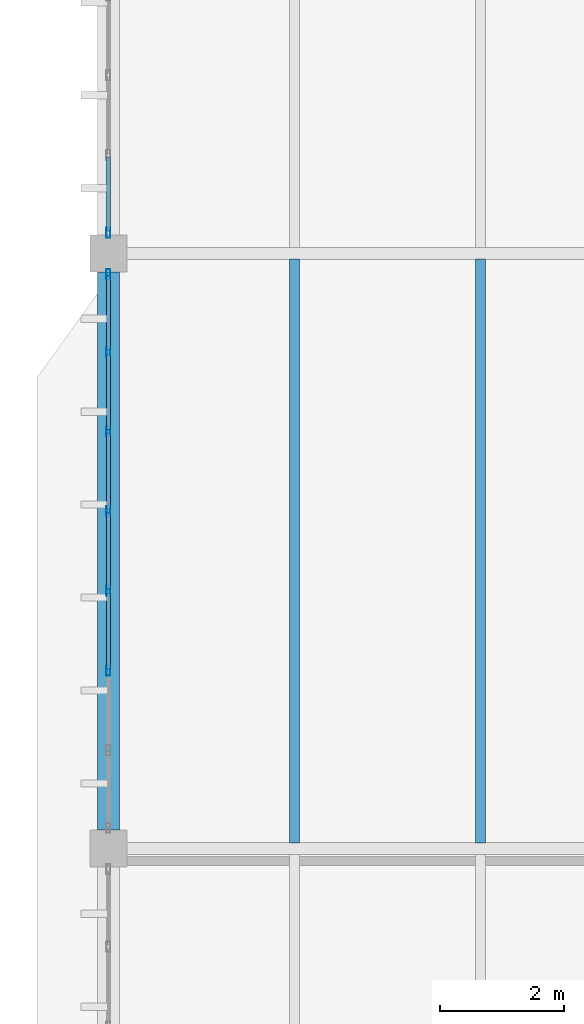
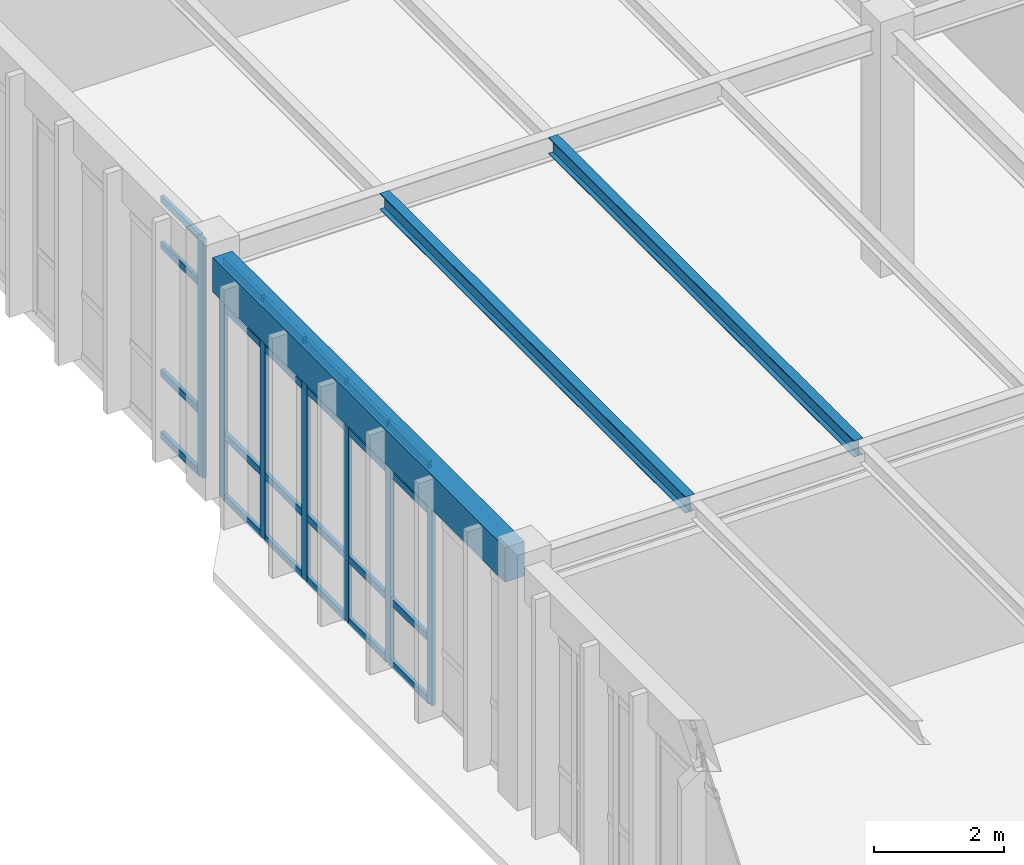
# One storey, part 132 of 236: 31 members, 3 beams, 2 elements without a shape of their own.
"""IFC4 building model written with IfcOpenShell, lengths in metres."""

from ifc_helpers import new_model, si_unit, direction, frame, origin, origin_2d, place, context, subcontext, project, spatial, rectangle, hollow_rectangle, i_section, extrude, material, layer, layer_set, material_profile, profile_set, type_object, element, aggregate, save


model = new_model("IFC4")

# Units and contexts
model_context = context("Model", 3, precision=1e-05, world=origin(), true_north=direction((0.0, 1.0)))
body_context = subcontext(model_context, "Body", "Model", "MODEL_VIEW")
ifc_project = project(units=[si_unit("LENGTHUNIT", "METRE"), si_unit("AREAUNIT", "SQUARE_METRE"), si_unit("VOLUMEUNIT", "CUBIC_METRE"), si_unit("PLANEANGLEUNIT", "RADIAN"), si_unit("MASSUNIT", "GRAM", prefix="KILO")], contexts=[model_context])

# Site, building, storey
site_placement = place(None, origin())
site = spatial("IfcSite", under=ifc_project, at=site_placement, CompositionType="ELEMENT")
building_placement = place(site_placement, origin())
building = spatial("IfcBuilding", under=site, at=building_placement, Name="Pandanus Reach Market Hall", CompositionType="ELEMENT")
storey_placement = place(building_placement, frame((0.0, 0.0, 5.39990234375)))
storey = spatial("IfcBuildingStorey", under=building, at=storey_placement, Name="L01", CompositionType="ELEMENT", Elevation=5.39990234375)

# Beam
ifc_material_1 = material(Name="Concrete N40 (40 MPa)", Category="concrete")
ifc_material_profile_1 = material_profile(ifc_material_1, rectangle(XDim=0.35009765625, YDim=0.64990234375, at=origin_2d()), Name="RC350x650", Category="LoadBearing")
ifc_profile_set_1 = profile_set([ifc_material_profile_1], Name="Concrete N40 (40 MPa)")
beam_type_1 = type_object("IfcBeamType", Name="BM-RC350-E", PredefinedType="SPANDREL", material=ifc_profile_set_1)
beam_placement = place(storey_placement, frame((144.0, 29.097900390625, 4.215087890625), z_axis=(0.0, 1.0, 0.0), x_axis=(-1.0, 0.0, 0.0)))
element("IfcBeam", 1, at=beam_placement, inside=storey, type_object=beam_type_1, Name="Framing beam BM-RC350-E L01.338", PredefinedType="SPANDREL", context=body_context, shape_type="SweptSolid", body=[
    extrude(rectangle(XDim=0.35009765625, YDim=0.64990234375, at=origin_2d()), origin(), (0.0, 0.0, 1.0), 9.004150390625),
])

# Curtain wall, members
ifc_material_2 = material(Name="Bronze anodised aluminium and low-E glass", Category="aluminium")
ifc_layer = layer(ifc_material_2, 0.159912109375, Name="CW-29")
ifc_layer_set = layer_set([ifc_layer], Name="Bronze anodised aluminium and low-E glass")
curtain_wall_type = type_object("IfcCurtainWallType", Name="CW-29", PredefinedType="NOTDEFINED", material=ifc_layer_set)
curtain_wall_1_placement = place(storey_placement, origin())
curtain_wall_1 = element("IfcCurtainWall", 2, at=curtain_wall_1_placement, inside=storey, type_object=curtain_wall_type, Name="Glazed curtain wall CW-29 CW-0093", PredefinedType="NOTDEFINED")
ifc_material_3 = material(Name="Bronze anodised aluminium", Category="aluminium")
ifc_material_profile_2 = material_profile(ifc_material_3, hollow_rectangle(XDim=0.06494140625, YDim=0.159912109375, WallThickness=0.00390625, at=origin_2d()), Name="ALU65x160", Category="LoadBearing")
ifc_profile_set_2 = profile_set([ifc_material_profile_2], Name="Bronze anodised aluminium")
member_type_1 = type_object("IfcMemberType", Name="CW-M1", PredefinedType="MULLION", material=ifc_profile_set_2)
member_1_placement = place(storey_placement, frame((144.0, 31.67138671875, 0.0), z_axis=(0.0, 0.0, 1.0), x_axis=(-1.0, 0.0, 0.0)))
member_1 = element("IfcMember", 3, at=member_1_placement, type_object=member_type_1, Name="CW-29 mullion 3", PredefinedType="MULLION", context=body_context, shape_type="SweptSolid", body=[
    extrude(hollow_rectangle(XDim=0.06494140625, YDim=0.159912109375, WallThickness=0.00390625, at=origin_2d()), origin(), (0.0, 0.0, 1.0), 4.5),
])
member_2_placement = place(storey_placement, frame((144.0, 32.95703125, 0.0), z_axis=(0.0, 0.0, 1.0), x_axis=(-1.0, 0.0, 0.0)))
member_2 = element("IfcMember", 4, at=member_2_placement, type_object=member_type_1, Name="CW-29 mullion 4", PredefinedType="MULLION", context=body_context, shape_type="SweptSolid", body=[
    extrude(hollow_rectangle(XDim=0.06494140625, YDim=0.159912109375, WallThickness=0.00390625, at=origin_2d()), origin(), (0.0, 0.0, 1.0), 4.5),
])
member_3_placement = place(storey_placement, frame((144.0, 34.242919921875, 0.0), z_axis=(0.0, 0.0, 1.0), x_axis=(-1.0, 0.0, 0.0)))
member_3 = element("IfcMember", 5, at=member_3_placement, type_object=member_type_1, Name="CW-29 mullion 5", PredefinedType="MULLION", context=body_context, shape_type="SweptSolid", body=[
    extrude(hollow_rectangle(XDim=0.06494140625, YDim=0.159912109375, WallThickness=0.00390625, at=origin_2d()), origin(), (0.0, 0.0, 1.0), 4.5),
])
member_4_placement = place(storey_placement, frame((144.0, 35.528564453125, 0.0), z_axis=(0.0, 0.0, 1.0), x_axis=(-1.0, 0.0, 0.0)))
member_4 = element("IfcMember", 6, at=member_4_placement, type_object=member_type_1, Name="CW-29 mullion 6", PredefinedType="MULLION", context=body_context, shape_type="SweptSolid", body=[
    extrude(hollow_rectangle(XDim=0.06494140625, YDim=0.159912109375, WallThickness=0.00390625, at=origin_2d()), origin(), (0.0, 0.0, 1.0), 4.5),
])
member_5_placement = place(storey_placement, frame((144.0, 36.814208984375, 0.0), z_axis=(0.0, 0.0, 1.0), x_axis=(-1.0, 0.0, 0.0)))
member_5 = element("IfcMember", 7, at=member_5_placement, type_object=member_type_1, Name="CW-29 mullion 7", PredefinedType="MULLION", context=body_context, shape_type="SweptSolid", body=[
    extrude(hollow_rectangle(XDim=0.06494140625, YDim=0.159912109375, WallThickness=0.00390625, at=origin_2d()), origin(), (0.0, 0.0, 1.0), 4.5),
])
member_6_placement = place(storey_placement, frame((144.0, 38.0673828125, 0.0), z_axis=(0.0, 0.0, 1.0), x_axis=(-1.0, 0.0, 0.0)))
member_6 = element("IfcMember", 8, at=member_6_placement, type_object=member_type_1, Name="CW-29 mullion 8", PredefinedType="MULLION", context=body_context, shape_type="SweptSolid", body=[
    extrude(hollow_rectangle(XDim=0.06494140625, YDim=0.159912109375, WallThickness=0.00390625, at=origin_2d()), origin(), (0.0, 0.0, 1.0), 4.5),
])

# Curtain wall, member
curtain_wall_2_placement = place(storey_placement, origin())
curtain_wall_2 = element("IfcCurtainWall", 9, at=curtain_wall_2_placement, inside=storey, type_object=curtain_wall_type, Name="Glazed curtain wall CW-29 CW-0094", PredefinedType="NOTDEFINED")
member_7_placement = place(storey_placement, frame((144.0, 38.732421875, 0.0), z_axis=(0.0, 0.0, 1.0), x_axis=(-1.0, 0.0, 0.0)))
member_7 = element("IfcMember", 10, at=member_7_placement, type_object=member_type_1, Name="CW-29 mullion 1", PredefinedType="MULLION", context=body_context, shape_type="SweptSolid", body=[
    extrude(hollow_rectangle(XDim=0.06494140625, YDim=0.159912109375, WallThickness=0.00390625, at=origin_2d()), origin(), (0.0, 0.0, 1.0), 4.5),
])

# Member
ifc_material_profile_3 = material_profile(ifc_material_3, hollow_rectangle(XDim=0.06494140625, YDim=0.1298828125, WallThickness=0.00390625, at=origin_2d()), Name="ALU65x130", Category="LoadBearing")
ifc_profile_set_3 = profile_set([ifc_material_profile_3], Name="Bronze anodised aluminium")
member_type_2 = type_object("IfcMemberType", Name="CW-T1", PredefinedType="USERDEFINED", material=ifc_profile_set_3)
member_8_placement = place(storey_placement, frame((144.0, 31.703857421875, 0.03271484375), z_axis=(0.0, 1.0, 0.0), x_axis=(-1.0, 0.0, 0.0)))
member_8 = element("IfcMember", 11, at=member_8_placement, type_object=member_type_2, Name="CW-29 transom 3.1", ObjectType="TRANSOM", PredefinedType="USERDEFINED", context=body_context, shape_type="SweptSolid", body=[
    extrude(hollow_rectangle(XDim=0.06494140625, YDim=0.1298828125, WallThickness=0.00390625, at=origin_2d()), origin(), (0.0, 0.0, 1.0), 1.220703125),
])

member_9_placement = place(storey_placement, frame((144.0, 31.703857421875, 1.2001953125), z_axis=(0.0, 1.0, 0.0), x_axis=(-1.0, 0.0, 0.0)))
member_9 = element("IfcMember", 12, at=member_9_placement, type_object=member_type_2, Name="CW-29 transom 3.2", ObjectType="TRANSOM", PredefinedType="USERDEFINED", context=body_context, shape_type="SweptSolid", body=[
    extrude(hollow_rectangle(XDim=0.06494140625, YDim=0.1298828125, WallThickness=0.00390625, at=origin_2d()), origin(), (0.0, 0.0, 1.0), 1.220703125),
])

member_10_placement = place(storey_placement, frame((144.0, 31.703857421875, 3.60009765625), z_axis=(0.0, 1.0, 0.0), x_axis=(-1.0, 0.0, 0.0)))
member_10 = element("IfcMember", 13, at=member_10_placement, type_object=member_type_2, Name="CW-29 transom 3.3", ObjectType="TRANSOM", PredefinedType="USERDEFINED", context=body_context, shape_type="SweptSolid", body=[
    extrude(hollow_rectangle(XDim=0.06494140625, YDim=0.1298828125, WallThickness=0.00390625, at=origin_2d()), origin(), (0.0, 0.0, 1.0), 1.220703125),
])

member_11_placement = place(storey_placement, frame((144.0, 31.703857421875, 4.467529296875), z_axis=(0.0, 1.0, 0.0), x_axis=(-1.0, 0.0, 0.0)))
member_11 = element("IfcMember", 14, at=member_11_placement, type_object=member_type_2, Name="CW-29 transom 3.4", ObjectType="TRANSOM", PredefinedType="USERDEFINED", context=body_context, shape_type="SweptSolid", body=[
    extrude(hollow_rectangle(XDim=0.06494140625, YDim=0.1298828125, WallThickness=0.00390625, at=origin_2d()), origin(), (0.0, 0.0, 1.0), 1.220703125),
])

member_12_placement = place(storey_placement, frame((144.0, 32.98974609375, 0.03271484375), z_axis=(0.0, 1.0, 0.0), x_axis=(-1.0, 0.0, 0.0)))
member_12 = element("IfcMember", 15, at=member_12_placement, type_object=member_type_2, Name="CW-29 transom 4.1", ObjectType="TRANSOM", PredefinedType="USERDEFINED", context=body_context, shape_type="SweptSolid", body=[
    extrude(hollow_rectangle(XDim=0.06494140625, YDim=0.1298828125, WallThickness=0.00390625, at=origin_2d()), origin(), (0.0, 0.0, 1.0), 1.220703125),
])

member_13_placement = place(storey_placement, frame((144.0, 32.98974609375, 1.2001953125), z_axis=(0.0, 1.0, 0.0), x_axis=(-1.0, 0.0, 0.0)))
member_13 = element("IfcMember", 16, at=member_13_placement, type_object=member_type_2, Name="CW-29 transom 4.2", ObjectType="TRANSOM", PredefinedType="USERDEFINED", context=body_context, shape_type="SweptSolid", body=[
    extrude(hollow_rectangle(XDim=0.06494140625, YDim=0.1298828125, WallThickness=0.00390625, at=origin_2d()), origin(), (0.0, 0.0, 1.0), 1.220703125),
])

member_14_placement = place(storey_placement, frame((144.0, 32.98974609375, 3.60009765625), z_axis=(0.0, 1.0, 0.0), x_axis=(-1.0, 0.0, 0.0)))
member_14 = element("IfcMember", 17, at=member_14_placement, type_object=member_type_2, Name="CW-29 transom 4.3", ObjectType="TRANSOM", PredefinedType="USERDEFINED", context=body_context, shape_type="SweptSolid", body=[
    extrude(hollow_rectangle(XDim=0.06494140625, YDim=0.1298828125, WallThickness=0.00390625, at=origin_2d()), origin(), (0.0, 0.0, 1.0), 1.220703125),
])

member_15_placement = place(storey_placement, frame((144.0, 32.98974609375, 4.467529296875), z_axis=(0.0, 1.0, 0.0), x_axis=(-1.0, 0.0, 0.0)))
member_15 = element("IfcMember", 18, at=member_15_placement, type_object=member_type_2, Name="CW-29 transom 4.4", ObjectType="TRANSOM", PredefinedType="USERDEFINED", context=body_context, shape_type="SweptSolid", body=[
    extrude(hollow_rectangle(XDim=0.06494140625, YDim=0.1298828125, WallThickness=0.00390625, at=origin_2d()), origin(), (0.0, 0.0, 1.0), 1.220703125),
])

member_16_placement = place(storey_placement, frame((144.0, 34.275390625, 0.03271484375), z_axis=(0.0, 1.0, 0.0), x_axis=(-1.0, 0.0, 0.0)))
member_16 = element("IfcMember", 19, at=member_16_placement, type_object=member_type_2, Name="CW-29 transom 5.1", ObjectType="TRANSOM", PredefinedType="USERDEFINED", context=body_context, shape_type="SweptSolid", body=[
    extrude(hollow_rectangle(XDim=0.06494140625, YDim=0.1298828125, WallThickness=0.00390625, at=origin_2d()), origin(), (0.0, 0.0, 1.0), 1.220703125),
])

member_17_placement = place(storey_placement, frame((144.0, 34.275390625, 1.2001953125), z_axis=(0.0, 1.0, 0.0), x_axis=(-1.0, 0.0, 0.0)))
member_17 = element("IfcMember", 20, at=member_17_placement, type_object=member_type_2, Name="CW-29 transom 5.2", ObjectType="TRANSOM", PredefinedType="USERDEFINED", context=body_context, shape_type="SweptSolid", body=[
    extrude(hollow_rectangle(XDim=0.06494140625, YDim=0.1298828125, WallThickness=0.00390625, at=origin_2d()), origin(), (0.0, 0.0, 1.0), 1.220703125),
])

member_18_placement = place(storey_placement, frame((144.0, 34.275390625, 3.60009765625), z_axis=(0.0, 1.0, 0.0), x_axis=(-1.0, 0.0, 0.0)))
member_18 = element("IfcMember", 21, at=member_18_placement, type_object=member_type_2, Name="CW-29 transom 5.3", ObjectType="TRANSOM", PredefinedType="USERDEFINED", context=body_context, shape_type="SweptSolid", body=[
    extrude(hollow_rectangle(XDim=0.06494140625, YDim=0.1298828125, WallThickness=0.00390625, at=origin_2d()), origin(), (0.0, 0.0, 1.0), 1.220703125),
])

member_19_placement = place(storey_placement, frame((144.0, 34.275390625, 4.467529296875), z_axis=(0.0, 1.0, 0.0), x_axis=(-1.0, 0.0, 0.0)))
member_19 = element("IfcMember", 22, at=member_19_placement, type_object=member_type_2, Name="CW-29 transom 5.4", ObjectType="TRANSOM", PredefinedType="USERDEFINED", context=body_context, shape_type="SweptSolid", body=[
    extrude(hollow_rectangle(XDim=0.06494140625, YDim=0.1298828125, WallThickness=0.00390625, at=origin_2d()), origin(), (0.0, 0.0, 1.0), 1.220703125),
])

member_20_placement = place(storey_placement, frame((144.0, 35.56103515625, 0.03271484375), z_axis=(0.0, 1.0, 0.0), x_axis=(-1.0, 0.0, 0.0)))
member_20 = element("IfcMember", 23, at=member_20_placement, type_object=member_type_2, Name="CW-29 transom 6.1", ObjectType="TRANSOM", PredefinedType="USERDEFINED", context=body_context, shape_type="SweptSolid", body=[
    extrude(hollow_rectangle(XDim=0.06494140625, YDim=0.1298828125, WallThickness=0.00390625, at=origin_2d()), origin(), (0.0, 0.0, 1.0), 1.220703125),
])

member_21_placement = place(storey_placement, frame((144.0, 35.56103515625, 1.2001953125), z_axis=(0.0, 1.0, 0.0), x_axis=(-1.0, 0.0, 0.0)))
member_21 = element("IfcMember", 24, at=member_21_placement, type_object=member_type_2, Name="CW-29 transom 6.2", ObjectType="TRANSOM", PredefinedType="USERDEFINED", context=body_context, shape_type="SweptSolid", body=[
    extrude(hollow_rectangle(XDim=0.06494140625, YDim=0.1298828125, WallThickness=0.00390625, at=origin_2d()), origin(), (0.0, 0.0, 1.0), 1.220703125),
])

member_22_placement = place(storey_placement, frame((144.0, 35.56103515625, 3.60009765625), z_axis=(0.0, 1.0, 0.0), x_axis=(-1.0, 0.0, 0.0)))
member_22 = element("IfcMember", 25, at=member_22_placement, type_object=member_type_2, Name="CW-29 transom 6.3", ObjectType="TRANSOM", PredefinedType="USERDEFINED", context=body_context, shape_type="SweptSolid", body=[
    extrude(hollow_rectangle(XDim=0.06494140625, YDim=0.1298828125, WallThickness=0.00390625, at=origin_2d()), origin(), (0.0, 0.0, 1.0), 1.220703125),
])

member_23_placement = place(storey_placement, frame((144.0, 35.56103515625, 4.467529296875), z_axis=(0.0, 1.0, 0.0), x_axis=(-1.0, 0.0, 0.0)))
member_23 = element("IfcMember", 26, at=member_23_placement, type_object=member_type_2, Name="CW-29 transom 6.4", ObjectType="TRANSOM", PredefinedType="USERDEFINED", context=body_context, shape_type="SweptSolid", body=[
    extrude(hollow_rectangle(XDim=0.06494140625, YDim=0.1298828125, WallThickness=0.00390625, at=origin_2d()), origin(), (0.0, 0.0, 1.0), 1.220703125),
])

member_24_placement = place(storey_placement, frame((144.0, 36.8466796875, 0.03271484375), z_axis=(0.0, 1.0, 0.0), x_axis=(-1.0, 0.0, 0.0)))
member_24 = element("IfcMember", 27, at=member_24_placement, type_object=member_type_2, Name="CW-29 transom 7.1", ObjectType="TRANSOM", PredefinedType="USERDEFINED", context=body_context, shape_type="SweptSolid", body=[
    extrude(hollow_rectangle(XDim=0.06494140625, YDim=0.1298828125, WallThickness=0.00390625, at=origin_2d()), origin(), (0.0, 0.0, 1.0), 1.188232421875),
])

member_25_placement = place(storey_placement, frame((144.0, 36.8466796875, 1.2001953125), z_axis=(0.0, 1.0, 0.0), x_axis=(-1.0, 0.0, 0.0)))
member_25 = element("IfcMember", 28, at=member_25_placement, type_object=member_type_2, Name="CW-29 transom 7.2", ObjectType="TRANSOM", PredefinedType="USERDEFINED", context=body_context, shape_type="SweptSolid", body=[
    extrude(hollow_rectangle(XDim=0.06494140625, YDim=0.1298828125, WallThickness=0.00390625, at=origin_2d()), origin(), (0.0, 0.0, 1.0), 1.188232421875),
])

member_26_placement = place(storey_placement, frame((144.0, 36.8466796875, 3.60009765625), z_axis=(0.0, 1.0, 0.0), x_axis=(-1.0, 0.0, 0.0)))
member_26 = element("IfcMember", 29, at=member_26_placement, type_object=member_type_2, Name="CW-29 transom 7.3", ObjectType="TRANSOM", PredefinedType="USERDEFINED", context=body_context, shape_type="SweptSolid", body=[
    extrude(hollow_rectangle(XDim=0.06494140625, YDim=0.1298828125, WallThickness=0.00390625, at=origin_2d()), origin(), (0.0, 0.0, 1.0), 1.188232421875),
])

member_27_placement = place(storey_placement, frame((144.0, 36.8466796875, 4.467529296875), z_axis=(0.0, 1.0, 0.0), x_axis=(-1.0, 0.0, 0.0)))
member_27 = element("IfcMember", 30, at=member_27_placement, type_object=member_type_2, Name="CW-29 transom 7.4", ObjectType="TRANSOM", PredefinedType="USERDEFINED", context=body_context, shape_type="SweptSolid", body=[
    extrude(hollow_rectangle(XDim=0.06494140625, YDim=0.1298828125, WallThickness=0.00390625, at=origin_2d()), origin(), (0.0, 0.0, 1.0), 1.188232421875),
])

aggregate(curtain_wall_1, [member_1, member_2, member_3, member_4, member_5, member_6, member_8, member_9, member_10, member_11, member_12, member_13, member_14, member_15, member_16, member_17, member_18, member_19, member_20, member_21, member_22, member_23, member_24, member_25, member_26, member_27])

member_28_placement = place(storey_placement, frame((144.0, 38.764892578125, 0.03271484375), z_axis=(0.0, 1.0, 0.0), x_axis=(-1.0, 0.0, 0.0)))
member_28 = element("IfcMember", 31, at=member_28_placement, type_object=member_type_2, Name="CW-29 transom 1.1", ObjectType="TRANSOM", PredefinedType="USERDEFINED", context=body_context, shape_type="SweptSolid", body=[
    extrude(hollow_rectangle(XDim=0.06494140625, YDim=0.1298828125, WallThickness=0.00390625, at=origin_2d()), origin(), (0.0, 0.0, 1.0), 1.188232421875),
])

member_29_placement = place(storey_placement, frame((144.0, 38.764892578125, 1.2001953125), z_axis=(0.0, 1.0, 0.0), x_axis=(-1.0, 0.0, 0.0)))
member_29 = element("IfcMember", 32, at=member_29_placement, type_object=member_type_2, Name="CW-29 transom 1.2", ObjectType="TRANSOM", PredefinedType="USERDEFINED", context=body_context, shape_type="SweptSolid", body=[
    extrude(hollow_rectangle(XDim=0.06494140625, YDim=0.1298828125, WallThickness=0.00390625, at=origin_2d()), origin(), (0.0, 0.0, 1.0), 1.188232421875),
])

member_30_placement = place(storey_placement, frame((144.0, 38.764892578125, 3.60009765625), z_axis=(0.0, 1.0, 0.0), x_axis=(-1.0, 0.0, 0.0)))
member_30 = element("IfcMember", 33, at=member_30_placement, type_object=member_type_2, Name="CW-29 transom 1.3", ObjectType="TRANSOM", PredefinedType="USERDEFINED", context=body_context, shape_type="SweptSolid", body=[
    extrude(hollow_rectangle(XDim=0.06494140625, YDim=0.1298828125, WallThickness=0.00390625, at=origin_2d()), origin(), (0.0, 0.0, 1.0), 1.188232421875),
])

member_31_placement = place(storey_placement, frame((144.0, 38.764892578125, 4.467529296875), z_axis=(0.0, 1.0, 0.0), x_axis=(-1.0, 0.0, 0.0)))
member_31 = element("IfcMember", 34, at=member_31_placement, type_object=member_type_2, Name="CW-29 transom 1.4", ObjectType="TRANSOM", PredefinedType="USERDEFINED", context=body_context, shape_type="SweptSolid", body=[
    extrude(hollow_rectangle(XDim=0.06494140625, YDim=0.1298828125, WallThickness=0.00390625, at=origin_2d()), origin(), (0.0, 0.0, 1.0), 1.188232421875),
])

aggregate(curtain_wall_2, [member_7, member_28, member_29, member_30, member_31])

# Beams
ifc_material_4 = material(Name="Steel Grade 350 (350 MPa)", Category="steel")
ifc_material_profile_4 = material_profile(ifc_material_4, i_section(OverallWidth=0.166015625, OverallDepth=0.306884765625, WebThickness=0.006591796875, FlangeThickness=0.01171875, at=origin_2d()), Name="310UB46.2", Category="LoadBearing")
ifc_profile_set_4 = profile_set([ifc_material_profile_4], Name="Steel Grade 350 (350 MPa)")
beam_type_2 = type_object("IfcBeamType", Name="JS-UB310H-I", PredefinedType="JOIST", material=ifc_profile_set_4)
for number, where, z_axis, x_axis, name in (
    (35, (147.0, 28.89306640625, 4.38623046875), (0.0, 1.0, 0.0), (-1.0, 0.0, 0.0), "Secondary joist JS-UB310H-I L01.378"),
    (36, (150.0, 28.89306640625, 4.38623046875), (0.0, 1.0, 0.0), (-1.0, 0.0, 0.0), "Secondary joist JS-UB310H-I L01.379"),
):
    element("IfcBeam", number, at=place(storey_placement, frame(where, z_axis=z_axis, x_axis=x_axis)), inside=storey, type_object=beam_type_2, Name=name, PredefinedType="JOIST", context=body_context, shape_type="SweptSolid", body=[
        extrude(i_section(OverallWidth=0.166015625, OverallDepth=0.306884765625, WebThickness=0.006591796875, FlangeThickness=0.01171875, at=origin_2d()), origin(), (0.0, 0.0, 1.0), 9.413818359375),
    ])

save(model, "model.ifc")
